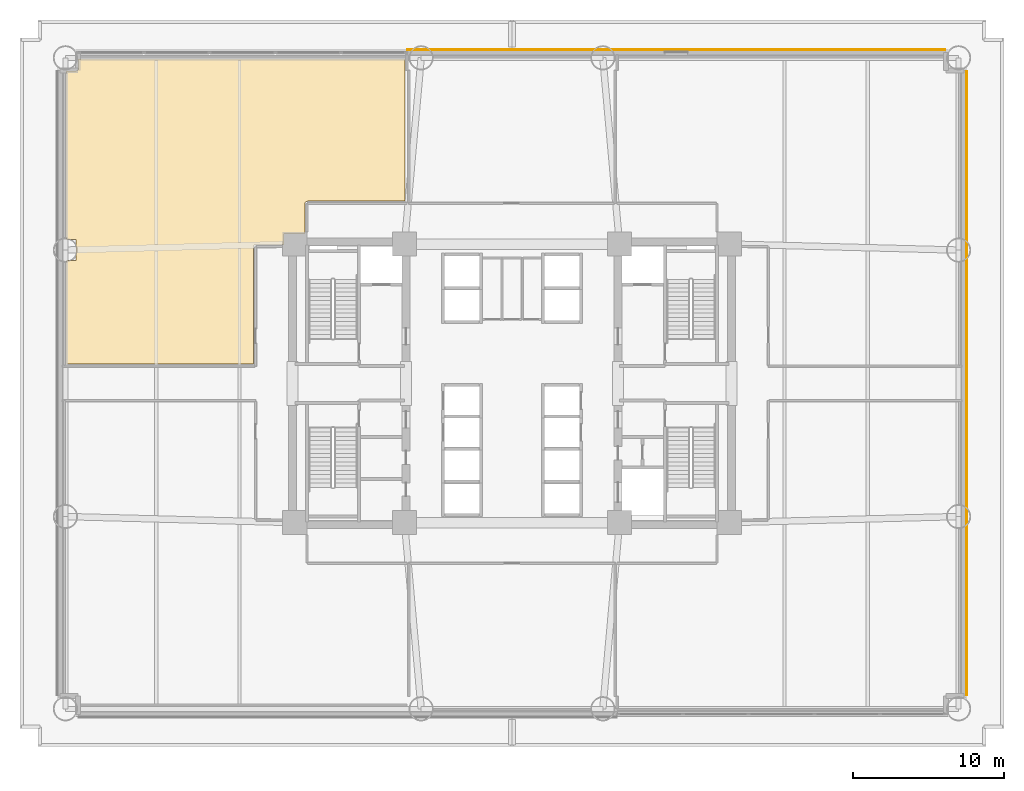
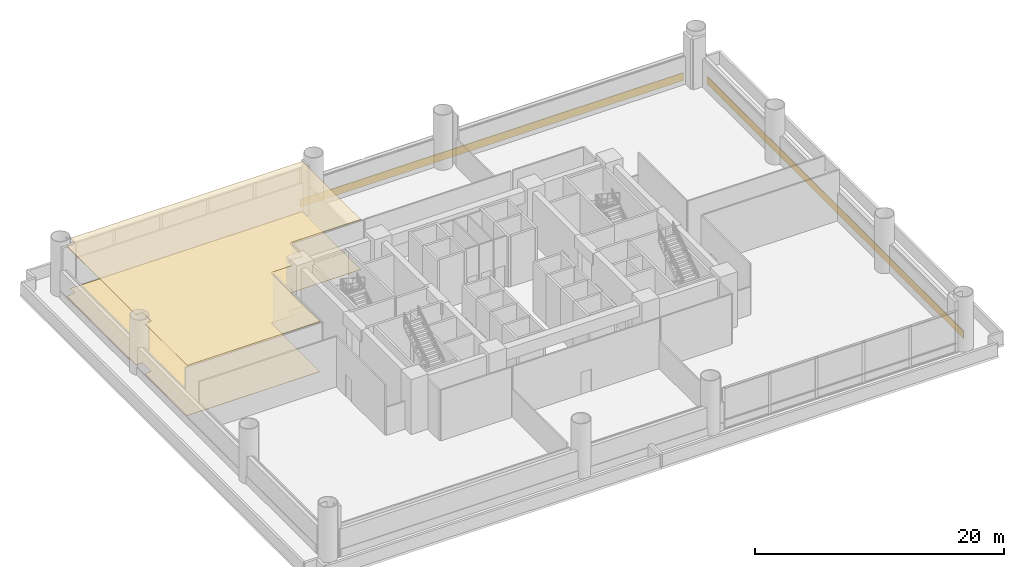
# One storey, part 12 of 12: 4 coverings.
"""IFC4 building model written with IfcOpenShell, lengths in metres."""

from ifc_helpers import new_model, si_unit, direction, frame, origin, origin_2d, place, context, subcontext, project, spatial, polyline, rectangle, outline, extrude, source, transform, mapped, material, layer, layer_set, type_object, element, save


model = new_model("IFC4")

# Units and contexts
model_context = context("Model", 3, precision=1e-05, world=origin(), true_north=direction((0.0, 1.0)))
body_context = subcontext(model_context, "Body", "Model", "MODEL_VIEW")
ifc_project = project(units=[si_unit("LENGTHUNIT", "METRE"), si_unit("AREAUNIT", "SQUARE_METRE"), si_unit("VOLUMEUNIT", "CUBIC_METRE"), si_unit("PLANEANGLEUNIT", "RADIAN"), si_unit("MASSUNIT", "GRAM", prefix="KILO")], contexts=[model_context])

# Site, building, storey
site_placement = place(None, origin())
site = spatial("IfcSite", under=ifc_project, at=site_placement, CompositionType="ELEMENT")
building_placement = place(site_placement, origin())
building = spatial("IfcBuilding", under=site, at=building_placement, Name="Zahravan Cultural Tower", CompositionType="ELEMENT")
storey_placement = place(building_placement, frame((0.0, 0.0, 18.0)))
storey = spatial("IfcBuildingStorey", under=building, at=storey_placement, Name="L03", CompositionType="ELEMENT", Elevation=18.0)

# Coverings
ifc_material_1 = material(Name="Acoustic mineral fibreboard")
ifc_layer_1 = layer(ifc_material_1, 0.0400390625)
ifc_layer_set_1 = layer_set([ifc_layer_1], Name="Acoustic mineral fibreboard")
covering_type_1 = type_object("IfcCoveringType", Name="COV-CEIL-AC20", PredefinedType="CEILING", material=ifc_layer_set_1)
covering_1_placement = place(storey_placement, frame((0.0, 0.0, 4.909912109375)))
element("IfcCovering", 1, at=covering_1_placement, inside=storey, type_object=covering_type_1, Name="L03 Acoustic Suspended Ceiling", PredefinedType="CEILING", context=body_context, shape_type="SweptSolid", body=[
    extrude(outline(polyline([(22.320068359375, 38.85595703125), (22.326904296875, 38.902587890625), (22.349609375, 38.95068359375), (22.38671875, 38.9912109375), (22.445556640625, 39.022705078125), (22.494140625, 39.030029296875), (28.919921875, 39.030029296875), (28.919921875, 48.419921875), (7.360107421875, 48.419921875), (7.360107421875, 47.7919921875), (7.349365234375, 47.73828125), (7.314208984375, 47.685791015625), (7.26171875, 47.650634765625), (7.2080078125, 47.639892578125), (6.580078125, 47.639892578125), (6.580078125, 36.5), (7.199951171875, 36.5), (7.199951171875, 35.10009765625), (6.580078125, 35.10009765625), (6.580078125, 28.280029296875), (18.919921875, 28.280029296875), (18.919921875, 36.0078125), (18.93212890625, 36.069580078125), (18.9716796875, 36.12841796875), (19.030517578125, 36.167724609375), (19.092041015625, 36.179931640625), (20.949951171875, 36.179931640625), (20.949951171875, 36.89990234375), (22.320068359375, 36.89990234375), (22.320068359375, 38.85595703125)])), origin(), (0.0, 0.0, 1.0), 0.0400390625),
])
ifc_material_2 = material(Name="Terrazzo flooring")
ifc_layer_2 = layer(ifc_material_2, 0.02490234375)
ifc_layer_set_2 = layer_set([ifc_layer_2], Name="Terrazzo flooring")
covering_type_2 = type_object("IfcCoveringType", Name="COV-FLR-TZ25", PredefinedType="FLOORING", material=ifc_layer_set_2)
covering_2_placement = place(storey_placement, origin())
element("IfcCovering", 2, at=covering_2_placement, inside=storey, type_object=covering_type_2, Name="L03 Polished Terrazzo Flooring", PredefinedType="FLOORING", context=body_context, shape_type="SweptSolid", body=[
    extrude(outline(polyline([(22.320068359375, 38.85595703125), (22.326904296875, 38.902587890625), (22.349609375, 38.95068359375), (22.38671875, 38.9912109375), (22.445556640625, 39.022705078125), (22.494140625, 39.030029296875), (28.919921875, 39.030029296875), (28.919921875, 48.419921875), (7.360107421875, 48.419921875), (7.360107421875, 47.7919921875), (7.349365234375, 47.73828125), (7.314208984375, 47.685791015625), (7.26171875, 47.650634765625), (7.2080078125, 47.639892578125), (6.580078125, 47.639892578125), (6.580078125, 36.5), (7.199951171875, 36.5), (7.199951171875, 35.10009765625), (6.580078125, 35.10009765625), (6.580078125, 28.280029296875), (18.919921875, 28.280029296875), (18.919921875, 36.0078125), (18.93212890625, 36.069580078125), (18.9716796875, 36.12841796875), (19.030517578125, 36.167724609375), (19.092041015625, 36.179931640625), (20.949951171875, 36.179931640625), (20.949951171875, 36.89990234375), (22.320068359375, 36.89990234375), (22.320068359375, 38.85595703125)])), origin(), (0.0, 0.0, 1.0), 0.02490234375),
])
ifc_material_3 = material(Name="Terracotta ceramic cladding", Category="masonry")
ifc_layer_3 = layer(ifc_material_3, 0.06005859375)
ifc_layer_set_3 = layer_set([ifc_layer_3], Name="Terracotta ceramic cladding")
covering_type_3 = type_object("IfcCoveringType", Name="COV-CLAD-TC60", PredefinedType="CLADDING", material=ifc_layer_set_3)
shared_shape_1 = source(origin(), body_context, "Body", "SweptSolid", [
    extrude(rectangle(XDim=41.219970703125, YDim=0.06005859375, at=origin_2d()), origin(), (0.0, 0.0, 1.0), 0.760009765625),
])
covering_3_placement = place(storey_placement, frame((66.044921875, 27.0, 0.02001953125), z_axis=(0.0, 0.0, 1.0), x_axis=(0.0, -1.0, 0.0)))
element("IfcCovering", 3, at=covering_3_placement, inside=storey, type_object=covering_type_3, Name="L03 Terracotta Spandrel Cladding 01", PredefinedType="CLADDING", context=body_context, shape_type="MappedRepresentation", body=[
    mapped(shared_shape_1, transform((0.0, 0.0, 0.0), x_axis=(1.0, 0.0, 0.0), y_axis=(0.0, 1.0, 0.0), z_axis=(0.0, 0.0, 1.0), scale=1.0)),
])
shared_shape_2 = source(origin(), body_context, "Body", "SweptSolid", [
    extrude(rectangle(XDim=35.52490234375, YDim=0.06005859375, at=origin_2d()), origin(), (0.0, 0.0, 1.0), 0.760009765625),
])
covering_4_placement = place(storey_placement, frame((46.847412109375, 49.044921875, 0.02001953125), z_axis=(0.0, 0.0, 1.0), x_axis=(1.0, 0.0, 0.0)))
element("IfcCovering", 4, at=covering_4_placement, inside=storey, type_object=covering_type_3, Name="L03 Terracotta Spandrel Cladding 10", PredefinedType="CLADDING", context=body_context, shape_type="MappedRepresentation", body=[
    mapped(shared_shape_2, transform((0.0, 0.0, 0.0), x_axis=(1.0, 0.0, 0.0), y_axis=(0.0, 1.0, 0.0), z_axis=(0.0, 0.0, 1.0), scale=1.0)),
])

save(model, "model.ifc")
